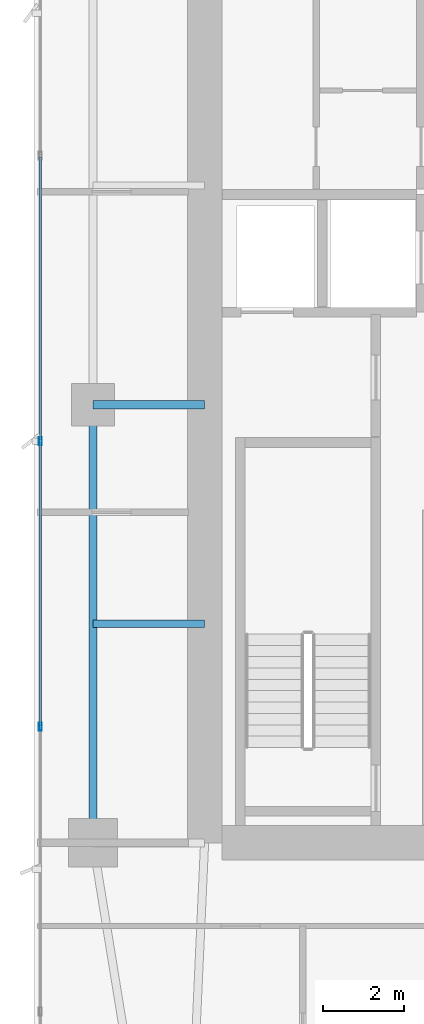
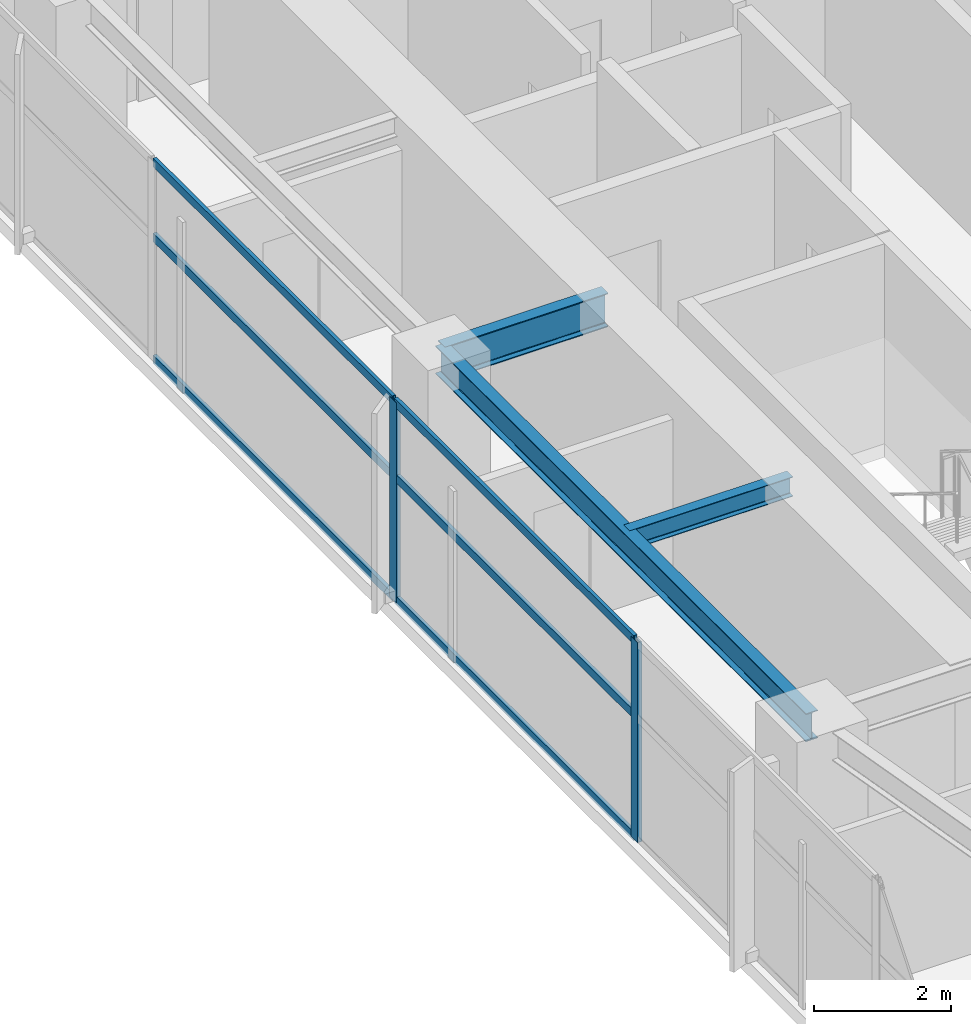
# One storey, part 8 of 29: 8 members, 3 beams, 1 element without a shape of its own.
"""IFC4 building model written with IfcOpenShell, lengths in metres."""

from ifc_helpers import new_model, si_unit, direction, frame, origin, origin_2d, place, context, subcontext, project, spatial, hollow_rectangle, i_section, extrude, material, layer, layer_set, material_profile, profile_set, type_object, element, aggregate, save


model = new_model("IFC4")

# Units and contexts
model_context = context("Model", 3, precision=1e-05, world=origin(), true_north=direction((0.0, 1.0)))
body_context = subcontext(model_context, "Body", "Model", "MODEL_VIEW")
ifc_project = project(units=[si_unit("LENGTHUNIT", "METRE"), si_unit("AREAUNIT", "SQUARE_METRE"), si_unit("VOLUMEUNIT", "CUBIC_METRE"), si_unit("PLANEANGLEUNIT", "RADIAN"), si_unit("MASSUNIT", "GRAM", prefix="KILO")], contexts=[model_context])

# Site, building, storey
site_placement = place(None, origin())
site = spatial("IfcSite", under=ifc_project, at=site_placement, CompositionType="ELEMENT")
building_placement = place(site_placement, origin())
building = spatial("IfcBuilding", under=site, at=building_placement, Name="Calvorn Quay Hotel", CompositionType="ELEMENT")
storey_placement = place(building_placement, frame((0.0, 0.0, 163.699951171875)))
storey = spatial("IfcBuildingStorey", under=building, at=storey_placement, Name="L40", CompositionType="ELEMENT", Elevation=163.699951171875)

# Beams
ifc_material_1 = material(Name="Steel Q355B", Category="steel")
ifc_material_profile_1 = material_profile(ifc_material_1, i_section(OverallWidth=0.199951171875, OverallDepth=0.60009765625, WebThickness=0.010986328125, FlangeThickness=0.01708984375, FilletRadius=0.01806640625, at=origin_2d()), Name="HN600x200x11x17")
ifc_profile_set_1 = profile_set([ifc_material_profile_1], Name="Steel Q355B")
beam_type_1 = type_object("IfcBeamType", Name="BM-GIRD-TYP", PredefinedType="BEAM", material=ifc_profile_set_1)
beam_1_placement = place(storey_placement, frame((1.449951171875, 27.60009765625, 3.239990234375), z_axis=(1.0, 0.0, 0.0), x_axis=(0.0, 1.0, 0.0)))
element("IfcBeam", 1, at=beam_1_placement, inside=storey, type_object=beam_type_1, Name="Beam BG-L40-W2", PredefinedType="BEAM", context=body_context, shape_type="SweptSolid", body=[
    extrude(i_section(OverallWidth=0.199951171875, OverallDepth=0.60009765625, WebThickness=0.010986328125, FlangeThickness=0.01708984375, FilletRadius=0.01806640625, at=origin_2d()), origin(), (0.0, 0.0, 1.0), 2.75),
])
ifc_material_2 = material(Name="Steel Q355B", Category="steel")
ifc_material_profile_2 = material_profile(ifc_material_2, i_section(OverallWidth=0.175048828125, OverallDepth=0.35009765625, WebThickness=0.007080078125, FlangeThickness=0.010986328125, FilletRadius=0.013916015625, at=origin_2d()), Name="HN350x175x7x11")
ifc_profile_set_2 = profile_set([ifc_material_profile_2], Name="Steel Q355B")
beam_type_2 = type_object("IfcBeamType", Name="BM-JOIST-SEC", PredefinedType="JOIST", material=ifc_profile_set_2)
beam_2_placement = place(storey_placement, frame((1.449951171875, 22.199951171875, 3.364990234375), z_axis=(1.0, 0.0, 0.0), x_axis=(0.0, 1.0, 0.0)))
element("IfcBeam", 2, at=beam_2_placement, inside=storey, type_object=beam_type_2, Name="Beam BJ-L40-W3", PredefinedType="JOIST", context=body_context, shape_type="SweptSolid", body=[
    extrude(i_section(OverallWidth=0.175048828125, OverallDepth=0.35009765625, WebThickness=0.007080078125, FlangeThickness=0.010986328125, FilletRadius=0.013916015625, at=origin_2d()), origin(), (0.0, 0.0, 1.0), 2.75),
])
ifc_material_3 = material(Name="Steel Q355B", Category="steel")
ifc_material_profile_3 = material_profile(ifc_material_3, i_section(OverallWidth=0.199951171875, OverallDepth=0.5, WebThickness=0.010009765625, FlangeThickness=0.01611328125, FilletRadius=0.01611328125, at=origin_2d()), Name="HN500x200x10x16")
ifc_profile_set_3 = profile_set([ifc_material_profile_3], Name="Steel Q355B")
beam_type_3 = type_object("IfcBeamType", Name="BM-SPANDREL-Z1", PredefinedType="SPANDREL", material=ifc_profile_set_3)
beam_3_placement = place(storey_placement, frame((1.449951171875, 16.800048828125, 3.2900390625), z_axis=(0.0, 1.0, 0.0), x_axis=(-1.0, 0.0, 0.0)))
element("IfcBeam", 3, at=beam_3_placement, inside=storey, type_object=beam_type_3, Name="Beam BSP-L40-W2", PredefinedType="SPANDREL", context=body_context, shape_type="SweptSolid", body=[
    extrude(i_section(OverallWidth=0.199951171875, OverallDepth=0.5, WebThickness=0.010009765625, FlangeThickness=0.01611328125, FilletRadius=0.01611328125, at=origin_2d()), origin(), (0.0, 0.0, 1.0), 10.800048828125),
])

# Curtain wall, members
ifc_material_4 = material(Name="Pale Anodised Aluminium and Low-E Glass", Category="aluminium")
ifc_layer = layer(ifc_material_4, 0.219970703125)
ifc_layer_set = layer_set([ifc_layer], Name="CW-SYS-Z2")
curtain_wall_type = type_object("IfcCurtainWallType", Name="CW-SYS-Z2", PredefinedType="NOTDEFINED", material=ifc_layer_set)
curtain_wall_placement = place(storey_placement, origin())
curtain_wall = element("IfcCurtainWall", 4, at=curtain_wall_placement, inside=storey, type_object=curtain_wall_type, Name="Tower West Curtain Wall (L40)", PredefinedType="NOTDEFINED")
ifc_material_5 = material(Name="Pale Anodised Aluminium 6063-T6", Category="aluminium")
ifc_material_profile_4 = material_profile(ifc_material_5, hollow_rectangle(XDim=0.070068359375, YDim=0.199951171875, WallThickness=0.00390625, at=origin_2d()), Name="ALU-M200x70x4")
ifc_profile_set_4 = profile_set([ifc_material_profile_4], Name="Pale Anodised Aluminium 6063-T6")
member_type_1 = type_object("IfcMemberType", Name="CW-SYS-Z2-MUL", PredefinedType="MULLION", material=ifc_profile_set_4)
member_1_placement = place(storey_placement, frame((0.14990234375, 19.666748046875, 0.0), z_axis=(0.0, 0.0, 1.0), x_axis=(-1.0, 0.0, 0.0)))
member_1 = element("IfcMember", 5, at=member_1_placement, type_object=member_type_1, Name="CW-L40-W mullion 3", PredefinedType="MULLION", context=body_context, shape_type="SweptSolid", body=[
    extrude(hollow_rectangle(XDim=0.070068359375, YDim=0.199951171875, WallThickness=0.00390625, at=origin_2d()), origin(), (0.0, 0.0, 1.0), 3.56005859375),
])
member_2_placement = place(storey_placement, frame((0.14990234375, 26.699951171875, 0.0), z_axis=(0.0, 0.0, 1.0), x_axis=(-1.0, 0.0, 0.0)))
member_2 = element("IfcMember", 6, at=member_2_placement, type_object=member_type_1, Name="CW-L40-W mullion 4", PredefinedType="MULLION", context=body_context, shape_type="SweptSolid", body=[
    extrude(hollow_rectangle(XDim=0.070068359375, YDim=0.199951171875, WallThickness=0.00390625, at=origin_2d()), origin(), (0.0, 0.0, 1.0), 3.56005859375),
])
ifc_material_6 = material(Name="Pale Anodised Aluminium 6063-T6", Category="aluminium")
ifc_material_profile_5 = material_profile(ifc_material_6, hollow_rectangle(XDim=0.06005859375, YDim=0.14990234375, WallThickness=0.00341796875, at=origin_2d()), Name="ALU-T150x60x3.5")
ifc_profile_set_5 = profile_set([ifc_material_profile_5], Name="Pale Anodised Aluminium 6063-T6")
member_type_2 = type_object("IfcMemberType", Name="CW-SYS-Z2-TRN", PredefinedType="USERDEFINED", material=ifc_profile_set_5)
member_3_placement = place(storey_placement, frame((0.14990234375, 19.69677734375, 0.030029296875), z_axis=(0.0, 1.0, 0.0), x_axis=(-1.0, 0.0, 0.0)))
member_3 = element("IfcMember", 7, at=member_3_placement, type_object=member_type_2, Name="CW-L40-W transom 3.1", ObjectType="TRANSOM", PredefinedType="USERDEFINED", context=body_context, shape_type="SweptSolid", body=[
    extrude(hollow_rectangle(XDim=0.06005859375, YDim=0.14990234375, WallThickness=0.00341796875, at=origin_2d()), origin(), (0.0, 0.0, 1.0), 6.97314453125),
])
member_4_placement = place(storey_placement, frame((0.14990234375, 19.69677734375, 2.199951171875), z_axis=(0.0, 1.0, 0.0), x_axis=(-1.0, 0.0, 0.0)))
member_4 = element("IfcMember", 8, at=member_4_placement, type_object=member_type_2, Name="CW-L40-W transom 3.2", ObjectType="TRANSOM", PredefinedType="USERDEFINED", context=body_context, shape_type="SweptSolid", body=[
    extrude(hollow_rectangle(XDim=0.06005859375, YDim=0.14990234375, WallThickness=0.00341796875, at=origin_2d()), origin(), (0.0, 0.0, 1.0), 6.97314453125),
])
member_5_placement = place(storey_placement, frame((0.14990234375, 19.69677734375, 3.530029296875), z_axis=(0.0, 1.0, 0.0), x_axis=(-1.0, 0.0, 0.0)))
member_5 = element("IfcMember", 9, at=member_5_placement, type_object=member_type_2, Name="CW-L40-W transom 3.3", ObjectType="TRANSOM", PredefinedType="USERDEFINED", context=body_context, shape_type="SweptSolid", body=[
    extrude(hollow_rectangle(XDim=0.06005859375, YDim=0.14990234375, WallThickness=0.00341796875, at=origin_2d()), origin(), (0.0, 0.0, 1.0), 6.97314453125),
])
member_6_placement = place(storey_placement, frame((0.14990234375, 26.72998046875, 0.030029296875), z_axis=(0.0, 1.0, 0.0), x_axis=(-1.0, 0.0, 0.0)))
member_6 = element("IfcMember", 10, at=member_6_placement, type_object=member_type_2, Name="CW-L40-W transom 4.1", ObjectType="TRANSOM", PredefinedType="USERDEFINED", context=body_context, shape_type="SweptSolid", body=[
    extrude(hollow_rectangle(XDim=0.06005859375, YDim=0.14990234375, WallThickness=0.00341796875, at=origin_2d()), origin(), (0.0, 0.0, 1.0), 6.973388671875),
])
member_7_placement = place(storey_placement, frame((0.14990234375, 26.72998046875, 2.199951171875), z_axis=(0.0, 1.0, 0.0), x_axis=(-1.0, 0.0, 0.0)))
member_7 = element("IfcMember", 11, at=member_7_placement, type_object=member_type_2, Name="CW-L40-W transom 4.2", ObjectType="TRANSOM", PredefinedType="USERDEFINED", context=body_context, shape_type="SweptSolid", body=[
    extrude(hollow_rectangle(XDim=0.06005859375, YDim=0.14990234375, WallThickness=0.00341796875, at=origin_2d()), origin(), (0.0, 0.0, 1.0), 6.973388671875),
])
member_8_placement = place(storey_placement, frame((0.14990234375, 26.72998046875, 3.530029296875), z_axis=(0.0, 1.0, 0.0), x_axis=(-1.0, 0.0, 0.0)))
member_8 = element("IfcMember", 12, at=member_8_placement, type_object=member_type_2, Name="CW-L40-W transom 4.3", ObjectType="TRANSOM", PredefinedType="USERDEFINED", context=body_context, shape_type="SweptSolid", body=[
    extrude(hollow_rectangle(XDim=0.06005859375, YDim=0.14990234375, WallThickness=0.00341796875, at=origin_2d()), origin(), (0.0, 0.0, 1.0), 6.973388671875),
])
aggregate(curtain_wall, [member_1, member_2, member_3, member_4, member_5, member_6, member_7, member_8])

save(model, "model.ifc")
